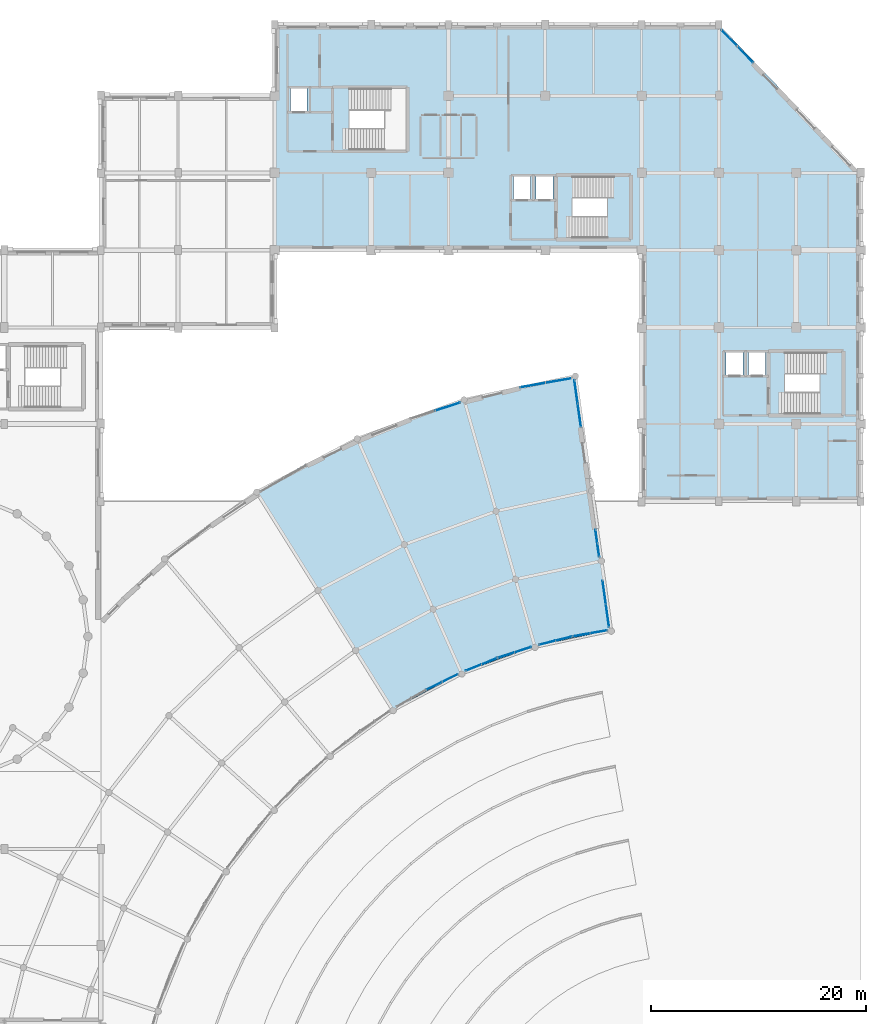
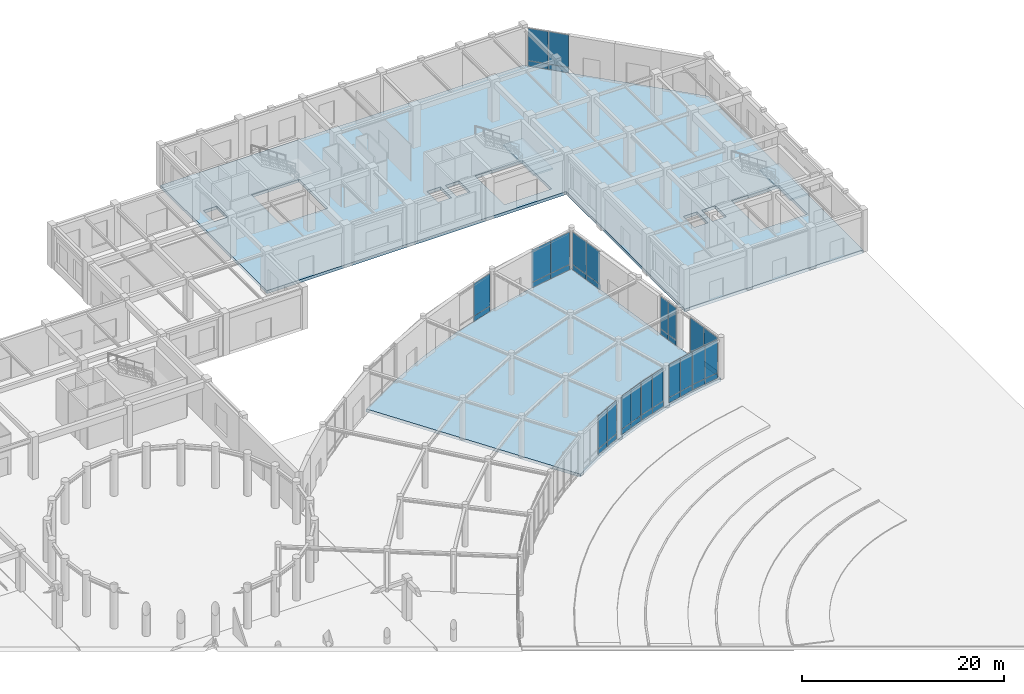
# One storey, part 43 of 64: 42 plates, 4 slabs, 13 elements without a shape of their own.
"""IFC4 building model written with IfcOpenShell, lengths in metres."""

from ifc_helpers import new_model, si_unit, direction, frame, frame_2d, origin, place, context, subcontext, project, spatial, polyline, rectangle, outline, extrude, material, layer, layer_set, type_object, element, aggregate, save


model = new_model("IFC4")

# Units and contexts
model_context = context("Model", 3, precision=1e-05, world=origin(), true_north=direction((0.0, 1.0)))
body_context = subcontext(model_context, "Body", "Model", "MODEL_VIEW")
ifc_project = project(units=[si_unit("LENGTHUNIT", "METRE"), si_unit("AREAUNIT", "SQUARE_METRE"), si_unit("VOLUMEUNIT", "CUBIC_METRE"), si_unit("PLANEANGLEUNIT", "RADIAN"), si_unit("MASSUNIT", "GRAM", prefix="KILO")], contexts=[model_context])

# Site, building, storey
site_placement = place(None, origin())
site = spatial("IfcSite", under=ifc_project, at=site_placement, CompositionType="ELEMENT")
building_placement = place(site_placement, origin())
building = spatial("IfcBuilding", under=site, at=building_placement, Name="Clarverna Civic Hall", CompositionType="ELEMENT")
storey_placement = place(building_placement, origin())
storey = spatial("IfcBuildingStorey", under=building, at=storey_placement, Name="L00", CompositionType="ELEMENT", Elevation=0.0)

# Curtain wall, plate
ifc_material_1 = material(Name="Anodised Bronze Architectural Aluminium", Category="aluminium")
curtain_wall_type_1 = type_object("IfcCurtainWallType", Name="CW-03", PredefinedType="USERDEFINED", material=ifc_material_1)
curtain_wall_1_placement = place(storey_placement, origin())
curtain_wall_1 = element("IfcCurtainWall", 1, at=curtain_wall_1_placement, inside=storey, type_object=curtain_wall_type_1, Name="CW-03-003", ObjectType="UNITISED CURTAIN WALL", PredefinedType="USERDEFINED")
ifc_material_2 = material(Name="Solar-Control Argon Low-E Double Glazing", Category="glass")
ifc_layer_1 = layer(ifc_material_2, 0.031982421875)
ifc_layer_set_1 = layer_set([ifc_layer_1], Name="Solar-Control Argon Low-E Double Glazing")
plate_type_1 = type_object("IfcPlateType", Name="CWP-01", PredefinedType="CURTAIN_PANEL", material=ifc_layer_set_1)
plate_1_placement = place(storey_placement, frame((128.39501953125, 80.04541015625, 0.764892578125), z_axis=(0.0, 0.0, 1.0), x_axis=(0.951038576678, 0.309072201387, 0.0)))
plate_1 = element("IfcPlate", 2, at=plate_1_placement, type_object=plate_type_1, Name="CWP-01-006", PredefinedType="CURTAIN_PANEL", context=body_context, shape_type="SweptSolid", body=[
    extrude(rectangle(XDim=2.387939453125, YDim=0.031982421875, at=frame_2d((1.19384765625, 0.0))), origin(), (0.0, 0.0, 1.0), 3.905029296875),
])

# Curtain wall, plates
curtain_wall_2_placement = place(storey_placement, origin())
curtain_wall_2 = element("IfcCurtainWall", 3, at=curtain_wall_2_placement, inside=storey, type_object=curtain_wall_type_1, Name="CW-03-004", ObjectType="UNITISED CURTAIN WALL", PredefinedType="USERDEFINED")
plate_2_placement = place(storey_placement, frame((136.270263671875, 82.209716796875, 0.764892578125), z_axis=(0.0, 0.0, 1.0), x_axis=(0.984811145489, 0.173628936879, 0.0)))
plate_2 = element("IfcPlate", 4, at=plate_2_placement, type_object=plate_type_1, Name="CWP-01-007", PredefinedType="CURTAIN_PANEL", context=body_context, shape_type="SweptSolid", body=[
    extrude(rectangle(XDim=2.404541015625, YDim=0.031982421875, at=frame_2d((1.2021484375, 0.0))), origin(), (0.0, 0.0, 1.0), 3.905029296875),
])
plate_3_placement = place(storey_placement, frame((138.667724609375, 82.63232421875, 0.764892578125), z_axis=(0.0, 0.0, 1.0), x_axis=(0.984790713892, 0.173744783612, 0.0)))
plate_3 = element("IfcPlate", 5, at=plate_3_placement, type_object=plate_type_1, Name="CWP-01-008", PredefinedType="CURTAIN_PANEL", context=body_context, shape_type="SweptSolid", body=[
    extrude(rectangle(XDim=2.404296875, YDim=0.031982421875, at=frame_2d((1.2021484375, 0.0))), origin(), (0.0, 0.0, 1.0), 3.905029296875),
])

curtain_wall_3_placement = place(storey_placement, origin())
curtain_wall_3 = element("IfcCurtainWall", 6, at=curtain_wall_3_placement, inside=storey, type_object=curtain_wall_type_1, Name="CW-03-005", ObjectType="UNITISED CURTAIN WALL", PredefinedType="USERDEFINED")
plate_4_placement = place(storey_placement, frame((141.3359375, 82.872802734375, 0.764892578125), z_axis=(0.0, 0.0, 1.0), x_axis=(0.139189475345, -0.990265767334, 0.0)))
plate_4 = element("IfcPlate", 7, at=plate_4_placement, type_object=plate_type_1, Name="CWP-01-009", PredefinedType="CURTAIN_PANEL", context=body_context, shape_type="SweptSolid", body=[
    extrude(rectangle(XDim=2.175048828125, YDim=0.031982421875, at=frame_2d((1.08740234375, 0.0))), origin(), (0.0, 0.0, 1.0), 3.905029296875),
])
plate_5_placement = place(storey_placement, frame((141.642822265625, 80.689208984375, 0.764892578125), z_axis=(0.0, 0.0, 1.0), x_axis=(0.139174005175, -0.990267941662, 0.0)))
plate_5 = element("IfcPlate", 8, at=plate_5_placement, type_object=plate_type_1, Name="CWP-01-010", PredefinedType="CURTAIN_PANEL", context=body_context, shape_type="SweptSolid", body=[
    extrude(rectangle(XDim=2.17529296875, YDim=0.031982421875, at=frame_2d((1.087646484375, 0.0))), origin(), (0.0, 0.0, 1.0), 3.905029296875),
])

curtain_wall_4_placement = place(storey_placement, origin())
curtain_wall_4 = element("IfcCurtainWall", 9, at=curtain_wall_4_placement, inside=storey, type_object=curtain_wall_type_1, Name="CW-03-006", ObjectType="UNITISED CURTAIN WALL", PredefinedType="USERDEFINED")
plate_6_placement = place(storey_placement, frame((143.294921875, 68.933349609375, 0.764892578125), z_axis=(0.0, 0.0, 1.0), x_axis=(0.139242912506, -0.990258254859, 0.0)))
plate_6 = element("IfcPlate", 10, at=plate_6_placement, type_object=plate_type_1, Name="CWP-01-011", PredefinedType="CURTAIN_PANEL", context=body_context, shape_type="SweptSolid", body=[
    extrude(rectangle(XDim=1.25537109375, YDim=0.031982421875, at=frame_2d((0.627685546875, 0.0))), origin(), (0.0, 0.0, 1.0), 3.905029296875),
])
plate_7_placement = place(storey_placement, frame((143.473876953125, 67.660400390625, 0.764892578125), z_axis=(0.0, 0.0, 1.0), x_axis=(0.139242912506, -0.990258254859, 0.0)))
plate_7 = element("IfcPlate", 11, at=plate_7_placement, type_object=plate_type_1, Name="CWP-01-012", PredefinedType="CURTAIN_PANEL", context=body_context, shape_type="SweptSolid", body=[
    extrude(rectangle(XDim=1.25537109375, YDim=0.031982421875, at=frame_2d((0.627685546875, 0.0))), origin(), (0.0, 0.0, 1.0), 3.905029296875),
])

curtain_wall_5_placement = place(storey_placement, origin())
curtain_wall_5 = element("IfcCurtainWall", 12, at=curtain_wall_5_placement, inside=storey, type_object=curtain_wall_type_1, Name="CW-03-007", ObjectType="UNITISED CURTAIN WALL", PredefinedType="USERDEFINED")
plate_8_placement = place(storey_placement, frame((143.963134765625, 64.18017578125, 0.764892578125), z_axis=(0.0, 0.0, 1.0), x_axis=(0.139201032991, -0.990264142749, 0.0)))
plate_8 = element("IfcPlate", 13, at=plate_8_placement, type_object=plate_type_1, Name="CWP-01-013", PredefinedType="CURTAIN_PANEL", context=body_context, shape_type="SweptSolid", body=[
    extrude(rectangle(XDim=2.155517578125, YDim=0.031982421875, at=frame_2d((1.07763671875, 0.0))), origin(), (0.0, 0.0, 1.0), 3.985107421875),
])
plate_9_placement = place(storey_placement, frame((144.26708984375, 62.015869140625, 0.764892578125), z_axis=(0.0, 0.0, 1.0), x_axis=(0.139216647643, -0.990261947678, 0.0)))
plate_9 = element("IfcPlate", 14, at=plate_9_placement, type_object=plate_type_1, Name="CWP-01-014", PredefinedType="CURTAIN_PANEL", context=body_context, shape_type="SweptSolid", body=[
    extrude(rectangle(XDim=2.1552734375, YDim=0.031982421875, at=frame_2d((1.07763671875, 0.0))), origin(), (0.0, 0.0, 1.0), 3.985107421875),
])

curtain_wall_6_placement = place(storey_placement, origin())
curtain_wall_6 = element("IfcCurtainWall", 15, at=curtain_wall_6_placement, inside=storey, type_object=curtain_wall_type_1, Name="CW-03-008", ObjectType="UNITISED CURTAIN WALL", PredefinedType="USERDEFINED")
plate_10_placement = place(storey_placement, frame((144.375732421875, 59.56787109375, 0.764892578125), z_axis=(0.0, 0.0, 1.0), x_axis=(-0.984808257094, -0.173645318852, 0.0)))
plate_10 = element("IfcPlate", 16, at=plate_10_placement, type_object=plate_type_1, Name="CWP-01-015", PredefinedType="CURTAIN_PANEL", context=body_context, shape_type="SweptSolid", body=[
    extrude(rectangle(XDim=1.591552734375, YDim=0.031982421875, at=frame_2d((0.7958984375, 0.0))), origin(), (0.0, 0.0, 1.0), 3.985107421875),
])
plate_11_placement = place(storey_placement, frame((142.77880859375, 59.2861328125, 0.764892578125), z_axis=(0.0, 0.0, 1.0), x_axis=(-0.984829859977, -0.173522756136, 0.0)))
plate_11 = element("IfcPlate", 17, at=plate_11_placement, type_object=plate_type_1, Name="CWP-01-016", PredefinedType="CURTAIN_PANEL", context=body_context, shape_type="SweptSolid", body=[
    extrude(rectangle(XDim=1.59130859375, YDim=0.031982421875, at=frame_2d((0.795654296875, 0.0))), origin(), (0.0, 0.0, 1.0), 3.985107421875),
])

curtain_wall_7_placement = place(storey_placement, origin())
curtain_wall_7 = element("IfcCurtainWall", 18, at=curtain_wall_7_placement, inside=storey, type_object=curtain_wall_type_1, Name="CW-03-009", ObjectType="UNITISED CURTAIN WALL", PredefinedType="USERDEFINED")
plate_12_placement = place(storey_placement, frame((141.108154296875, 58.98779296875, 0.764892578125), z_axis=(0.0, 0.0, 1.0), x_axis=(-0.970289708656, -0.241946029676, 0.0)))
plate_12 = element("IfcPlate", 19, at=plate_12_placement, type_object=plate_type_1, Name="CWP-01-017", PredefinedType="CURTAIN_PANEL", context=body_context, shape_type="SweptSolid", body=[
    extrude(rectangle(XDim=1.55908203125, YDim=0.031982421875, at=frame_2d((0.779541015625, 0.0))), origin(), (0.0, 0.0, 1.0), 3.985107421875),
])
plate_13_placement = place(storey_placement, frame((139.566162109375, 58.603515625, 0.764892578125), z_axis=(0.0, 0.0, 1.0), x_axis=(-0.970289708656, -0.241946029676, 0.0)))
plate_13 = element("IfcPlate", 20, at=plate_13_placement, type_object=plate_type_1, Name="CWP-01-018", PredefinedType="CURTAIN_PANEL", context=body_context, shape_type="SweptSolid", body=[
    extrude(rectangle(XDim=1.55908203125, YDim=0.031982421875, at=frame_2d((0.779541015625, 0.0))), origin(), (0.0, 0.0, 1.0), 3.985107421875),
])

curtain_wall_8_placement = place(storey_placement, origin())
curtain_wall_8 = element("IfcCurtainWall", 21, at=curtain_wall_8_placement, inside=storey, type_object=curtain_wall_type_1, Name="CW-03-010", ObjectType="UNITISED CURTAIN WALL", PredefinedType="USERDEFINED")
plate_14_placement = place(storey_placement, frame((137.28125, 58.007568359375, 0.764892578125), z_axis=(0.0, 0.0, 1.0), x_axis=(-0.951043063194, -0.309058395697, 0.0)))
plate_14 = element("IfcPlate", 22, at=plate_14_placement, type_object=plate_type_1, Name="CWP-01-019", PredefinedType="CURTAIN_PANEL", context=body_context, shape_type="SweptSolid", body=[
    extrude(rectangle(XDim=1.595703125, YDim=0.031982421875, at=frame_2d((0.7978515625, 0.0))), origin(), (0.0, 0.0, 1.0), 3.985107421875),
])
plate_15_placement = place(storey_placement, frame((135.735107421875, 57.505126953125, 0.764892578125), z_axis=(0.0, 0.0, 1.0), x_axis=(-0.951057674044, -0.309013431168, 0.0)))
plate_15 = element("IfcPlate", 23, at=plate_15_placement, type_object=plate_type_1, Name="CWP-01-020", PredefinedType="CURTAIN_PANEL", context=body_context, shape_type="SweptSolid", body=[
    extrude(rectangle(XDim=1.595947265625, YDim=0.031982421875, at=frame_2d((0.7978515625, 0.0))), origin(), (0.0, 0.0, 1.0), 3.985107421875),
])

curtain_wall_9_placement = place(storey_placement, origin())
curtain_wall_9 = element("IfcCurtainWall", 24, at=curtain_wall_9_placement, inside=storey, type_object=curtain_wall_type_1, Name="CW-03-011", ObjectType="UNITISED CURTAIN WALL", PredefinedType="USERDEFINED")
plate_16_placement = place(storey_placement, frame((134.1181640625, 56.975830078125, 0.764892578125), z_axis=(0.0, 0.0, 1.0), x_axis=(-0.927192079897, -0.374586234364, 0.0)))
plate_16 = element("IfcPlate", 25, at=plate_16_placement, type_object=plate_type_1, Name="CWP-01-021", PredefinedType="CURTAIN_PANEL", context=body_context, shape_type="SweptSolid", body=[
    extrude(rectangle(XDim=1.5400390625, YDim=0.031982421875, at=frame_2d((0.77001953125, 0.0))), origin(), (0.0, 0.0, 1.0), 3.985107421875),
])
plate_17_placement = place(storey_placement, frame((132.662109375, 56.3876953125, 0.764892578125), z_axis=(0.0, 0.0, 1.0), x_axis=(-0.927192079897, -0.374586234364, 0.0)))
plate_17 = element("IfcPlate", 26, at=plate_17_placement, type_object=plate_type_1, Name="CWP-01-022", PredefinedType="CURTAIN_PANEL", context=body_context, shape_type="SweptSolid", body=[
    extrude(rectangle(XDim=1.5400390625, YDim=0.031982421875, at=frame_2d((0.77001953125, 0.0))), origin(), (0.0, 0.0, 1.0), 3.985107421875),
])

curtain_wall_10_placement = place(storey_placement, origin())
curtain_wall_10 = element("IfcCurtainWall", 27, at=curtain_wall_10_placement, inside=storey, type_object=curtain_wall_type_1, Name="CW-03-012", ObjectType="UNITISED CURTAIN WALL", PredefinedType="USERDEFINED")
plate_18_placement = place(storey_placement, frame((130.466552734375, 55.47314453125, 0.764892578125), z_axis=(0.0, 0.0, 1.0), x_axis=(-0.898787548985, -0.438384468006, 0.0)))
plate_18 = element("IfcPlate", 28, at=plate_18_placement, type_object=plate_type_1, Name="CWP-01-023", PredefinedType="CURTAIN_PANEL", context=body_context, shape_type="SweptSolid", body=[
    extrude(rectangle(XDim=1.5966796875, YDim=0.031982421875, at=frame_2d((0.79833984375, 0.0))), origin(), (0.0, 0.0, 1.0), 3.985107421875),
])
plate_19_placement = place(storey_placement, frame((129.00439453125, 54.760009765625, 0.764892578125), z_axis=(0.0, 0.0, 1.0), x_axis=(-0.898847792123, -0.43826093437, 0.0)))
plate_19 = element("IfcPlate", 29, at=plate_19_placement, type_object=plate_type_1, Name="CWP-01-024", PredefinedType="CURTAIN_PANEL", context=body_context, shape_type="SweptSolid", body=[
    extrude(rectangle(XDim=1.596435546875, YDim=0.031982421875, at=frame_2d((0.79833984375, 0.0))), origin(), (0.0, 0.0, 1.0), 3.985107421875),
])

curtain_wall_type_2 = type_object("IfcCurtainWallType", Name="CW-02", PredefinedType="USERDEFINED", material=ifc_material_1)
curtain_wall_11_placement = place(storey_placement, origin())
curtain_wall_11 = element("IfcCurtainWall", 30, at=curtain_wall_11_placement, inside=storey, type_object=curtain_wall_type_2, Name="CW-02-001", ObjectType="UNITISED CURTAIN WALL", PredefinedType="USERDEFINED")
ifc_material_3 = material(Name="Acoustic Laminated Solar-Control Glazing", Category="glass")
ifc_layer_2 = layer(ifc_material_3, 0.035888671875)
ifc_layer_set_2 = layer_set([ifc_layer_2], Name="Acoustic Laminated Solar-Control Glazing")
plate_type_2 = type_object("IfcPlateType", Name="CWP-02", PredefinedType="CURTAIN_PANEL", material=ifc_layer_set_2)
plate_20_placement = place(storey_placement, frame((155.060302734375, 115.525390625, 0.764892578125), z_axis=(0.0, 0.0, 1.0), x_axis=(0.691196082375, -0.722667264866, 0.0)))
plate_20 = element("IfcPlate", 31, at=plate_20_placement, type_object=plate_type_2, Name="CWP-02-001", PredefinedType="CURTAIN_PANEL", context=body_context, shape_type="SweptSolid", body=[
    extrude(rectangle(XDim=2.0869140625, YDim=0.035888671875, at=frame_2d((1.04345703125, 0.0))), origin(), (0.0, 0.0, 1.0), 3.905029296875),
])
plate_21_placement = place(storey_placement, frame((156.523193359375, 113.995849609375, 0.764892578125), z_axis=(0.0, 0.0, 1.0), x_axis=(0.691196082375, -0.722667264866, 0.0)))
plate_21 = element("IfcPlate", 32, at=plate_21_placement, type_object=plate_type_2, Name="CWP-02-002", PredefinedType="CURTAIN_PANEL", context=body_context, shape_type="SweptSolid", body=[
    extrude(rectangle(XDim=2.0869140625, YDim=0.035888671875, at=frame_2d((1.04345703125, 0.0))), origin(), (0.0, 0.0, 1.0), 3.905029296875),
])
ifc_material_4 = material(Name="Insulated Anodised Bronze Spandrel Panel", Category="aluminium")
ifc_layer_3 = layer(ifc_material_4, 0.048095703125)
ifc_layer_set_3 = layer_set([ifc_layer_3], Name="Insulated Anodised Bronze Spandrel Panel")
plate_type_3 = type_object("IfcPlateType", Name="CWP-03", PredefinedType="CURTAIN_PANEL", material=ifc_layer_set_3)
plate_22_placement = place(storey_placement, frame((155.060302734375, 115.525390625, 0.110107421875), z_axis=(0.0, 0.0, 1.0), x_axis=(0.691196082375, -0.722667264866, 0.0)))
plate_22 = element("IfcPlate", 33, at=plate_22_placement, type_object=plate_type_3, Name="CWP-03-001", PredefinedType="CURTAIN_PANEL", context=body_context, shape_type="SweptSolid", body=[
    extrude(rectangle(XDim=2.0869140625, YDim=0.048095703125, at=frame_2d((1.04345703125, 0.0))), origin(), (0.0, 0.0, 1.0), 0.625),
])
plate_23_placement = place(storey_placement, frame((156.523193359375, 113.995849609375, 0.110107421875), z_axis=(0.0, 0.0, 1.0), x_axis=(0.691196082375, -0.722667264866, 0.0)))
plate_23 = element("IfcPlate", 34, at=plate_23_placement, type_object=plate_type_3, Name="CWP-03-002", PredefinedType="CURTAIN_PANEL", context=body_context, shape_type="SweptSolid", body=[
    extrude(rectangle(XDim=2.0869140625, YDim=0.048095703125, at=frame_2d((1.04345703125, 0.0))), origin(), (0.0, 0.0, 1.0), 0.625),
])
aggregate(curtain_wall_11, [plate_22, plate_20, plate_23, plate_21])

# Plate
plate_24_placement = place(storey_placement, frame((128.39501953125, 80.04541015625, 0.110107421875), z_axis=(0.0, 0.0, 1.0), x_axis=(0.951038576678, 0.309072201387, 0.0)))
plate_24 = element("IfcPlate", 35, at=plate_24_placement, type_object=plate_type_3, Name="CWP-03-008", PredefinedType="CURTAIN_PANEL", context=body_context, shape_type="SweptSolid", body=[
    extrude(rectangle(XDim=2.387939453125, YDim=0.048095703125, at=frame_2d((1.19384765625, 0.0))), origin(), (0.0, 0.0, 1.0), 0.625),
])

aggregate(curtain_wall_1, [plate_24, plate_1])

plate_25_placement = place(storey_placement, frame((136.270263671875, 82.209716796875, 0.110107421875), z_axis=(0.0, 0.0, 1.0), x_axis=(0.984811145489, 0.173628936879, 0.0)))
plate_25 = element("IfcPlate", 36, at=plate_25_placement, type_object=plate_type_3, Name="CWP-03-009", PredefinedType="CURTAIN_PANEL", context=body_context, shape_type="SweptSolid", body=[
    extrude(rectangle(XDim=2.404541015625, YDim=0.048095703125, at=frame_2d((1.2021484375, 0.0))), origin(), (0.0, 0.0, 1.0), 0.625),
])

plate_26_placement = place(storey_placement, frame((138.667724609375, 82.63232421875, 0.110107421875), z_axis=(0.0, 0.0, 1.0), x_axis=(0.984790713892, 0.173744783612, 0.0)))
plate_26 = element("IfcPlate", 37, at=plate_26_placement, type_object=plate_type_3, Name="CWP-03-010", PredefinedType="CURTAIN_PANEL", context=body_context, shape_type="SweptSolid", body=[
    extrude(rectangle(XDim=2.404296875, YDim=0.048095703125, at=frame_2d((1.2021484375, 0.0))), origin(), (0.0, 0.0, 1.0), 0.625),
])

aggregate(curtain_wall_2, [plate_25, plate_2, plate_26, plate_3])

plate_27_placement = place(storey_placement, frame((141.3359375, 82.872802734375, 0.110107421875), z_axis=(0.0, 0.0, 1.0), x_axis=(0.139189475345, -0.990265767334, 0.0)))
plate_27 = element("IfcPlate", 38, at=plate_27_placement, type_object=plate_type_3, Name="CWP-03-011", PredefinedType="CURTAIN_PANEL", context=body_context, shape_type="SweptSolid", body=[
    extrude(rectangle(XDim=2.175048828125, YDim=0.048095703125, at=frame_2d((1.08740234375, 0.0))), origin(), (0.0, 0.0, 1.0), 0.625),
])

plate_28_placement = place(storey_placement, frame((141.642822265625, 80.689208984375, 0.110107421875), z_axis=(0.0, 0.0, 1.0), x_axis=(0.139174005175, -0.990267941662, 0.0)))
plate_28 = element("IfcPlate", 39, at=plate_28_placement, type_object=plate_type_3, Name="CWP-03-012", PredefinedType="CURTAIN_PANEL", context=body_context, shape_type="SweptSolid", body=[
    extrude(rectangle(XDim=2.17529296875, YDim=0.048095703125, at=frame_2d((1.087646484375, 0.0))), origin(), (0.0, 0.0, 1.0), 0.625),
])

aggregate(curtain_wall_3, [plate_27, plate_4, plate_28, plate_5])

plate_29_placement = place(storey_placement, frame((143.294921875, 68.933349609375, 0.110107421875), z_axis=(0.0, 0.0, 1.0), x_axis=(0.139242912506, -0.990258254859, 0.0)))
plate_29 = element("IfcPlate", 40, at=plate_29_placement, type_object=plate_type_3, Name="CWP-03-013", PredefinedType="CURTAIN_PANEL", context=body_context, shape_type="SweptSolid", body=[
    extrude(rectangle(XDim=1.25537109375, YDim=0.048095703125, at=frame_2d((0.627685546875, 0.0))), origin(), (0.0, 0.0, 1.0), 0.625),
])

plate_30_placement = place(storey_placement, frame((143.473876953125, 67.660400390625, 0.110107421875), z_axis=(0.0, 0.0, 1.0), x_axis=(0.139242912506, -0.990258254859, 0.0)))
plate_30 = element("IfcPlate", 41, at=plate_30_placement, type_object=plate_type_3, Name="CWP-03-014", PredefinedType="CURTAIN_PANEL", context=body_context, shape_type="SweptSolid", body=[
    extrude(rectangle(XDim=1.25537109375, YDim=0.048095703125, at=frame_2d((0.627685546875, 0.0))), origin(), (0.0, 0.0, 1.0), 0.625),
])

aggregate(curtain_wall_4, [plate_29, plate_6, plate_30, plate_7])

plate_31_placement = place(storey_placement, frame((143.963134765625, 64.18017578125, 0.110107421875), z_axis=(0.0, 0.0, 1.0), x_axis=(0.139201032991, -0.990264142749, 0.0)))
plate_31 = element("IfcPlate", 42, at=plate_31_placement, type_object=plate_type_3, Name="CWP-03-015", PredefinedType="CURTAIN_PANEL", context=body_context, shape_type="SweptSolid", body=[
    extrude(rectangle(XDim=2.155517578125, YDim=0.048095703125, at=frame_2d((1.07763671875, 0.0))), origin(), (0.0, 0.0, 1.0), 0.625),
])

plate_32_placement = place(storey_placement, frame((144.26708984375, 62.015869140625, 0.110107421875), z_axis=(0.0, 0.0, 1.0), x_axis=(0.139216647643, -0.990261947678, 0.0)))
plate_32 = element("IfcPlate", 43, at=plate_32_placement, type_object=plate_type_3, Name="CWP-03-016", PredefinedType="CURTAIN_PANEL", context=body_context, shape_type="SweptSolid", body=[
    extrude(rectangle(XDim=2.1552734375, YDim=0.048095703125, at=frame_2d((1.07763671875, 0.0))), origin(), (0.0, 0.0, 1.0), 0.625),
])

aggregate(curtain_wall_5, [plate_31, plate_8, plate_32, plate_9])

plate_33_placement = place(storey_placement, frame((144.375732421875, 59.56787109375, 0.110107421875), z_axis=(0.0, 0.0, 1.0), x_axis=(-0.984808257094, -0.173645318852, 0.0)))
plate_33 = element("IfcPlate", 44, at=plate_33_placement, type_object=plate_type_3, Name="CWP-03-017", PredefinedType="CURTAIN_PANEL", context=body_context, shape_type="SweptSolid", body=[
    extrude(rectangle(XDim=1.591552734375, YDim=0.048095703125, at=frame_2d((0.7958984375, 0.0))), origin(), (0.0, 0.0, 1.0), 0.625),
])

plate_34_placement = place(storey_placement, frame((142.77880859375, 59.2861328125, 0.110107421875), z_axis=(0.0, 0.0, 1.0), x_axis=(-0.984829859977, -0.173522756136, 0.0)))
plate_34 = element("IfcPlate", 45, at=plate_34_placement, type_object=plate_type_3, Name="CWP-03-018", PredefinedType="CURTAIN_PANEL", context=body_context, shape_type="SweptSolid", body=[
    extrude(rectangle(XDim=1.59130859375, YDim=0.048095703125, at=frame_2d((0.795654296875, 0.0))), origin(), (0.0, 0.0, 1.0), 0.625),
])

aggregate(curtain_wall_6, [plate_33, plate_10, plate_34, plate_11])

plate_35_placement = place(storey_placement, frame((141.108154296875, 58.98779296875, 0.110107421875), z_axis=(0.0, 0.0, 1.0), x_axis=(-0.970289708656, -0.241946029676, 0.0)))
plate_35 = element("IfcPlate", 46, at=plate_35_placement, type_object=plate_type_3, Name="CWP-03-019", PredefinedType="CURTAIN_PANEL", context=body_context, shape_type="SweptSolid", body=[
    extrude(rectangle(XDim=1.55908203125, YDim=0.048095703125, at=frame_2d((0.779541015625, 0.0))), origin(), (0.0, 0.0, 1.0), 0.625),
])

plate_36_placement = place(storey_placement, frame((139.566162109375, 58.603515625, 0.110107421875), z_axis=(0.0, 0.0, 1.0), x_axis=(-0.970289708656, -0.241946029676, 0.0)))
plate_36 = element("IfcPlate", 47, at=plate_36_placement, type_object=plate_type_3, Name="CWP-03-020", PredefinedType="CURTAIN_PANEL", context=body_context, shape_type="SweptSolid", body=[
    extrude(rectangle(XDim=1.55908203125, YDim=0.048095703125, at=frame_2d((0.779541015625, 0.0))), origin(), (0.0, 0.0, 1.0), 0.625),
])

aggregate(curtain_wall_7, [plate_35, plate_12, plate_36, plate_13])

plate_37_placement = place(storey_placement, frame((137.28125, 58.007568359375, 0.110107421875), z_axis=(0.0, 0.0, 1.0), x_axis=(-0.951043063194, -0.309058395697, 0.0)))
plate_37 = element("IfcPlate", 48, at=plate_37_placement, type_object=plate_type_3, Name="CWP-03-021", PredefinedType="CURTAIN_PANEL", context=body_context, shape_type="SweptSolid", body=[
    extrude(rectangle(XDim=1.595703125, YDim=0.048095703125, at=frame_2d((0.7978515625, 0.0))), origin(), (0.0, 0.0, 1.0), 0.625),
])

plate_38_placement = place(storey_placement, frame((135.735107421875, 57.505126953125, 0.110107421875), z_axis=(0.0, 0.0, 1.0), x_axis=(-0.951057674044, -0.309013431168, 0.0)))
plate_38 = element("IfcPlate", 49, at=plate_38_placement, type_object=plate_type_3, Name="CWP-03-022", PredefinedType="CURTAIN_PANEL", context=body_context, shape_type="SweptSolid", body=[
    extrude(rectangle(XDim=1.595947265625, YDim=0.048095703125, at=frame_2d((0.7978515625, 0.0))), origin(), (0.0, 0.0, 1.0), 0.625),
])

aggregate(curtain_wall_8, [plate_37, plate_14, plate_38, plate_15])

plate_39_placement = place(storey_placement, frame((134.1181640625, 56.975830078125, 0.110107421875), z_axis=(0.0, 0.0, 1.0), x_axis=(-0.927192079897, -0.374586234364, 0.0)))
plate_39 = element("IfcPlate", 50, at=plate_39_placement, type_object=plate_type_3, Name="CWP-03-023", PredefinedType="CURTAIN_PANEL", context=body_context, shape_type="SweptSolid", body=[
    extrude(rectangle(XDim=1.5400390625, YDim=0.048095703125, at=frame_2d((0.77001953125, 0.0))), origin(), (0.0, 0.0, 1.0), 0.625),
])

plate_40_placement = place(storey_placement, frame((132.662109375, 56.3876953125, 0.110107421875), z_axis=(0.0, 0.0, 1.0), x_axis=(-0.927192079897, -0.374586234364, 0.0)))
plate_40 = element("IfcPlate", 51, at=plate_40_placement, type_object=plate_type_3, Name="CWP-03-024", PredefinedType="CURTAIN_PANEL", context=body_context, shape_type="SweptSolid", body=[
    extrude(rectangle(XDim=1.5400390625, YDim=0.048095703125, at=frame_2d((0.77001953125, 0.0))), origin(), (0.0, 0.0, 1.0), 0.625),
])

aggregate(curtain_wall_9, [plate_39, plate_16, plate_40, plate_17])

plate_41_placement = place(storey_placement, frame((130.466552734375, 55.47314453125, 0.110107421875), z_axis=(0.0, 0.0, 1.0), x_axis=(-0.898787548985, -0.438384468006, 0.0)))
plate_41 = element("IfcPlate", 52, at=plate_41_placement, type_object=plate_type_3, Name="CWP-03-025", PredefinedType="CURTAIN_PANEL", context=body_context, shape_type="SweptSolid", body=[
    extrude(rectangle(XDim=1.5966796875, YDim=0.048095703125, at=frame_2d((0.79833984375, 0.0))), origin(), (0.0, 0.0, 1.0), 0.625),
])

plate_42_placement = place(storey_placement, frame((129.00439453125, 54.760009765625, 0.110107421875), z_axis=(0.0, 0.0, 1.0), x_axis=(-0.898847792123, -0.43826093437, 0.0)))
plate_42 = element("IfcPlate", 53, at=plate_42_placement, type_object=plate_type_3, Name="CWP-03-026", PredefinedType="CURTAIN_PANEL", context=body_context, shape_type="SweptSolid", body=[
    extrude(rectangle(XDim=1.596435546875, YDim=0.048095703125, at=frame_2d((0.79833984375, 0.0))), origin(), (0.0, 0.0, 1.0), 0.625),
])

aggregate(curtain_wall_10, [plate_41, plate_18, plate_42, plate_19])

# Slabs
ifc_material_5 = material(Name="Concrete C30/37", Category="concrete")
ifc_layer_4 = layer(ifc_material_5, 0.360107421875)
ifc_layer_set_4 = layer_set([ifc_layer_4], Name="Concrete C30/37")
slab_type_1 = type_object("IfcSlabType", Name="SL-FL1", PredefinedType="FLOOR", material=ifc_layer_set_4)
slab_1_placement = place(storey_placement, frame((0.0, 0.0, -0.360107421875)))
element("IfcSlab", 54, at=slab_1_placement, inside=storey, type_object=slab_type_1, Name="SL-FL1-001", PredefinedType="FLOOR", context=body_context, shape_type="SweptSolid", body=[
    extrude(outline(polyline([(113.39990234375, 95.0), (147.60009765625, 95.0), (147.60009765625, 71.60009765625), (168.0, 71.60009765625), (168.0, 102.199951171875), (154.800048828125, 116.0), (113.39990234375, 116.0), (113.39990234375, 95.0)]), holes=[polyline([(141.14990234375, 96.1201171875), (146.550048828125, 96.1201171875), (146.550048828125, 101.8798828125), (141.14990234375, 101.8798828125), (141.14990234375, 96.1201171875)]), polyline([(135.669921875, 99.739990234375), (137.22998046875, 99.739990234375), (137.22998046875, 101.89990234375), (135.669921875, 101.89990234375), (135.669921875, 99.739990234375)]), polyline([(137.77001953125, 99.739990234375), (139.330078125, 99.739990234375), (139.330078125, 101.89990234375), (137.77001953125, 101.89990234375), (137.77001953125, 99.739990234375)]), polyline([(160.949951171875, 79.719970703125), (166.35009765625, 79.719970703125), (166.35009765625, 85.47998046875), (160.949951171875, 85.47998046875), (160.949951171875, 79.719970703125)]), polyline([(155.469970703125, 83.340087890625), (157.030029296875, 83.340087890625), (157.030029296875, 85.5), (155.469970703125, 85.5), (155.469970703125, 83.340087890625)]), polyline([(157.570068359375, 83.340087890625), (159.1298828125, 83.340087890625), (159.1298828125, 85.5), (157.570068359375, 85.5), (157.570068359375, 83.340087890625)]), polyline([(120.35009765625, 104.320068359375), (125.75, 104.320068359375), (125.75, 110.080078125), (120.35009765625, 110.080078125), (120.35009765625, 104.320068359375)]), polyline([(114.8701171875, 107.93994140625), (116.429931640625, 107.93994140625), (116.429931640625, 110.10009765625), (114.8701171875, 110.10009765625), (114.8701171875, 107.93994140625)])]), origin(), (0.0, 0.0, 1.0), 0.360107421875),
])
slab_2_placement = place(storey_placement, frame((0.0, 0.0, -0.360107421875)))
element("IfcSlab", 55, at=slab_2_placement, inside=storey, type_object=slab_type_1, Name="SL-FL1-004", PredefinedType="FLOOR", context=body_context, shape_type="SweptSolid", body=[
    extrude(outline(polyline([(137.6669921875, 57.985595703125), (141.188720703125, 58.86376953125), (144.762939453125, 59.493896484375), (141.4228515625, 83.260498046875), (136.19873046875, 82.339111328125), (131.051513671875, 81.055908203125), (126.006591796875, 79.41650390625), (121.087890625, 77.429443359375), (116.3203125, 75.10400390625), (111.72607421875, 72.45166015625), (124.444091796875, 52.098388671875), (127.58740234375, 53.913330078125), (130.849609375, 55.50439453125), (134.215087890625, 56.864013671875), (137.6669921875, 57.985595703125)])), origin(), (0.0, 0.0, 1.0), 0.360107421875),
])

# Stair, slab
stair_type = type_object("IfcStairType", Name="ST-U1", PredefinedType="HALF_TURN_STAIR", material=ifc_material_5)
stair_1_placement = place(storey_placement, origin())
stair_1 = element("IfcStair", 56, at=stair_1_placement, inside=storey, type_object=stair_type, Name="ST-U1:L00:0001", PredefinedType="HALF_TURN_STAIR")
ifc_layer_5 = layer(ifc_material_5, 0.199951171875)
ifc_layer_set_5 = layer_set([ifc_layer_5], Name="Concrete C30/37")
slab_type_2 = type_object("IfcSlabType", Name="SL-LD1", PredefinedType="LANDING", material=ifc_layer_set_5)
slab_3_placement = place(storey_placement, frame((0.0, 0.0, 2.35009765625)))
slab_3 = element("IfcSlab", 57, at=slab_3_placement, type_object=slab_type_2, Name="SL-LD1-002", PredefinedType="LANDING", context=body_context, shape_type="SweptSolid", body=[
    extrude(outline(polyline([(144.419921875, 96.02001953125), (146.64990234375, 96.02001953125), (146.64990234375, 101.97998046875), (144.419921875, 101.97998046875), (144.419921875, 96.02001953125)])), origin(), (0.0, 0.0, 1.0), 0.199951171875),
])
aggregate(stair_1, [slab_3])

stair_2_placement = place(storey_placement, origin())
stair_2 = element("IfcStair", 58, at=stair_2_placement, inside=storey, type_object=stair_type, Name="ST-U1:L00:0003", PredefinedType="HALF_TURN_STAIR")
slab_4_placement = place(storey_placement, frame((0.0, 0.0, 2.35009765625)))
slab_4 = element("IfcSlab", 59, at=slab_4_placement, type_object=slab_type_2, Name="SL-LD1-010", PredefinedType="LANDING", context=body_context, shape_type="SweptSolid", body=[
    extrude(outline(polyline([(164.219970703125, 79.6201171875), (166.449951171875, 79.6201171875), (166.449951171875, 85.580078125), (164.219970703125, 85.580078125), (164.219970703125, 79.6201171875)])), origin(), (0.0, 0.0, 1.0), 0.199951171875),
])
aggregate(stair_2, [slab_4])

save(model, "model.ifc")
